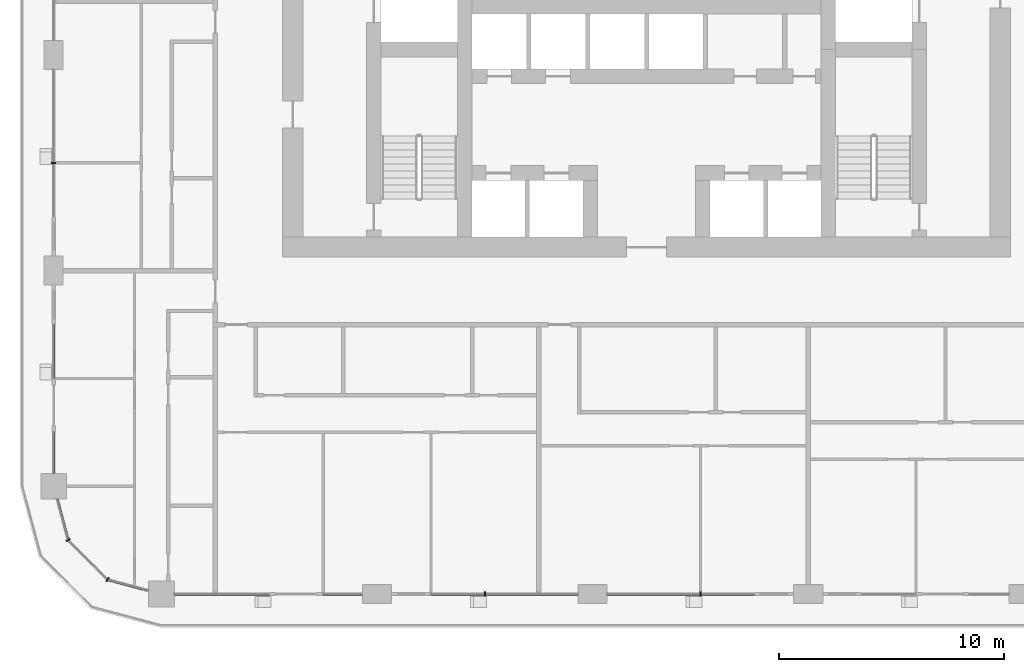
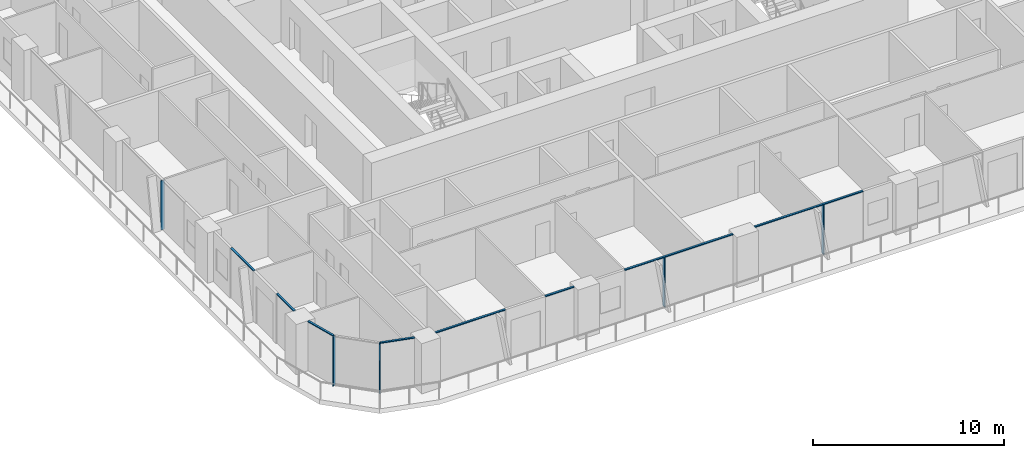
# One storey, part 2 of 22: 13 members, 6 elements without a shape of their own.
"""IFC4 building model written with IfcOpenShell, lengths in metres."""

import ifcopenshell
import ifcopenshell.guid

model = None  # the IFC model being written
_history = None  # IfcOwnerHistory: only IFC2X3 demands one
_inside = {}  # id of a spatial element -> (the spatial element, [elements in it])
_under = {}  # id of a project, library or spatial element -> (it, [spatial elements below it])
_declared = {}  # id of a project -> (the project, [libraries it declares])
_typed = {}  # id of a type object -> (the type object, [elements of that type])
_made_of = {}  # id of a material, layer set ... -> (it, [elements and type objects made of it])


def new_model(schema):
    """Start an empty IFC model of exactly this schema.

    Asked for "IFC4X3", IfcOpenShell would pick the latest addendum, in which some entities
    have other attributes; the version numbers below select the first issue.
    IFC2X3 requires an IfcOwnerHistory on every rooted entity: one is made here for all.
    """
    global model, _history
    if schema == "IFC4X3":
        model = ifcopenshell.file(schema_version=(4, 3, 0, 0))
    else:
        model = ifcopenshell.file(schema=schema)
    _inside.clear()
    _under.clear()
    _declared.clear()
    _typed.clear()
    _made_of.clear()
    _history = None
    if model.schema == "IFC2X3":
        org = make("IfcOrganization", Name="unknown")
        user = make(
            "IfcPersonAndOrganization",
            ThePerson=make("IfcPerson", FamilyName="unknown"),
            TheOrganization=org,
        )
        app = make(
            "IfcApplication",
            ApplicationDeveloper=org,
            Version="unknown",
            ApplicationFullName="unknown",
            ApplicationIdentifier="unknown",
        )
        _history = make(
            "IfcOwnerHistory",
            OwningUser=user,
            OwningApplication=app,
            ChangeAction="ADDED",
            CreationDate=0,
        )
    return model


def make(cls, **values):
    """One entity of the class cls with the attributes given. An attribute that is None is left unset."""
    return model.create_entity(
        cls, **{name: value for name, value in values.items() if value is not None}
    )


def rooted(cls, **values):
    """An entity with a GlobalId (a new one), such as an element, a storey or a relation."""
    return make(cls, GlobalId=ifcopenshell.guid.new(), OwnerHistory=_history, **values)


def si_unit(unit_type, name, prefix=None):
    """IfcSIUnit, for example si_unit("LENGTHUNIT", "METRE", prefix="MILLI")."""
    return make("IfcSIUnit", UnitType=unit_type, Prefix=prefix, Name=name)


def assignment(units):
    """IfcUnitAssignment: the units of a project."""
    return None if units is None else make("IfcUnitAssignment", Units=units)


def point(xyz):
    """IfcCartesianPoint."""
    return None if xyz is None else make("IfcCartesianPoint", Coordinates=xyz)


def direction(xyz):
    """IfcDirection."""
    return None if xyz is None else make("IfcDirection", DirectionRatios=xyz)


def frame(location, z_axis=None, x_axis=None):
    """IfcAxis2Placement3D, a coordinate frame: its origin and axes. An axis left out is left unset."""
    return make(
        "IfcAxis2Placement3D",
        Location=point(location),
        Axis=direction(z_axis),
        RefDirection=direction(x_axis),
    )


def frame_2d(location, x_axis=None):
    """IfcAxis2Placement2D, a coordinate frame in the plane: its origin and x axis."""
    return make(
        "IfcAxis2Placement2D", Location=point(location), RefDirection=direction(x_axis)
    )


def origin():
    """The frame at (0, 0, 0) with its axes left unset."""
    return frame((0.0, 0.0, 0.0))


def origin_2d():
    """The frame at (0, 0) in the plane with its x axis left unset."""
    return frame_2d((0.0, 0.0))


def place(relative_to, where):
    """IfcLocalPlacement: puts the frame where relative to a parent placement (None: the world)."""
    return make(
        "IfcLocalPlacement", PlacementRelTo=relative_to, RelativePlacement=where
    )


def context(
    kind, dimensions, precision=None, world=None, true_north=None, identifier=None
):
    """IfcGeometricRepresentationContext, for example the 3D "Model" context."""
    return make(
        "IfcGeometricRepresentationContext",
        ContextIdentifier=identifier,
        ContextType=kind,
        CoordinateSpaceDimension=dimensions,
        Precision=precision,
        WorldCoordinateSystem=world,
        TrueNorth=true_north,
    )


def subcontext(parent, identifier, kind, view, scale=None):
    """IfcGeometricRepresentationSubContext, for example "Body" below "Model"."""
    return make(
        "IfcGeometricRepresentationSubContext",
        ContextIdentifier=identifier,
        ContextType=kind,
        ParentContext=parent,
        TargetScale=scale,
        TargetView=view,
    )


def project(units=None, contexts=None):
    """IfcProject with its units and contexts."""
    return rooted(
        "IfcProject",
        Name="project",
        RepresentationContexts=contexts,
        UnitsInContext=assignment(units),
    )


def spatial(cls, under=None, at=None, **own):
    """A site, building, storey or space (cls), placed at a placement, below another one or the project."""
    s = rooted(cls, ObjectPlacement=at, **own)
    if under is not None:
        _under.setdefault(under.id(), (under, []))[1].append(s)
    return s


def profile(cls, at=None, kind="AREA", **sizes):
    """A parametric profile (cls). Its sizes go by their IFC names, for example OverallWidth=200.0."""
    return make(cls, ProfileType=kind, Position=at, **sizes)


def rectangle(**sizes):
    """IfcRectangleProfileDef."""
    return profile("IfcRectangleProfileDef", **sizes)


def extrude(swept, where, along, depth):
    """IfcExtrudedAreaSolid: the profile swept, set in the frame where, extruded along a direction by depth."""
    return make(
        "IfcExtrudedAreaSolid",
        SweptArea=swept,
        Position=where,
        ExtrudedDirection=direction(along),
        Depth=depth,
    )


def shape(context_of_items, identifier, shape_type, items):
    """IfcShapeRepresentation: the items that make up one representation, for example the "Body"."""
    return make(
        "IfcShapeRepresentation",
        ContextOfItems=context_of_items,
        RepresentationIdentifier=identifier,
        RepresentationType=shape_type,
        Items=items,
    )


def material(Name=None, Category=None):
    """IfcMaterial."""
    return make("IfcMaterial", Name=Name, Category=Category)


def layer(
    of_material, thickness, ventilated=None, Name=None, Category=None, Priority=None
):
    """IfcMaterialLayer: one layer of a wall or slab, of a material (None: an air gap)."""
    return make(
        "IfcMaterialLayer",
        Material=of_material,
        LayerThickness=thickness,
        IsVentilated=ventilated,
        Name=Name,
        Category=Category,
        Priority=Priority,
    )


def layer_set(layers, Name=None):
    """IfcMaterialLayerSet."""
    return make("IfcMaterialLayerSet", MaterialLayers=layers, LayerSetName=Name)


def material_profile(
    of_material, cross_section, Name=None, Category=None, Priority=None
):
    """IfcMaterialProfile: a cross section and its material."""
    return make(
        "IfcMaterialProfile",
        Name=Name,
        Material=of_material,
        Profile=cross_section,
        Priority=Priority,
        Category=Category,
    )


def profile_set(profiles, Name=None, composite=None):
    """IfcMaterialProfileSet."""
    return make(
        "IfcMaterialProfileSet",
        Name=Name,
        MaterialProfiles=profiles,
        CompositeProfile=composite,
    )


def made_of(thing, what):
    """Note that an element or type object is made of a material, layer set ...; save() writes the relation."""
    if what is not None:
        _made_of.setdefault(what.id(), (what, []))[1].append(thing)
    return thing


def type_object(cls, material=None, **own):
    """A type object (cls), such as IfcWallType, which elements share."""
    return made_of(rooted(cls, **own), material)


def element(
    cls,
    number,
    at=None,
    inside=None,
    cuts=None,
    type_object=None,
    material=None,
    context=None,
    identifier="Body",
    shape_type=None,
    held_by="IfcProductDefinitionShape",
    body=None,
    shapes=None,
    **own,
):
    """One element of the class cls, such as IfcWall. Its Tag is "e" and its number.

    at: its placement. inside: the storey or other place that contains it. cuts: it is an
    opening in that element (IfcRelVoidsElement). A single representation is given by context,
    identifier, shape_type and body (its items); several are given by shapes. held_by: the class
    of the entity that holds the representations. save() writes the other relations.
    """
    e = rooted(cls, Tag="e%d" % number, ObjectPlacement=at, **own)
    if body is not None:
        shapes = [shape(context, identifier, shape_type, body)]
    if shapes is not None:
        e.Representation = make(held_by, Representations=shapes)
    if inside is not None:
        _inside.setdefault(inside.id(), (inside, []))[1].append(e)
    if cuts is not None:
        rooted(
            "IfcRelVoidsElement", RelatingBuildingElement=cuts, RelatedOpeningElement=e
        )
    if type_object is not None:
        _typed.setdefault(type_object.id(), (type_object, []))[1].append(e)
    return made_of(e, material)


def aggregate(whole, parts):
    """IfcRelAggregates: a whole, such as a stair, and the parts it consists of."""
    return rooted("IfcRelAggregates", RelatingObject=whole, RelatedObjects=parts)


def save(model, path):
    """Write the relations noted so far, then the file.

    IfcRelAggregates (storeys below a building ...), IfcRelContainedInSpatialStructure (elements
    in a storey), IfcRelDefinesByType, IfcRelAssociatesMaterial and IfcRelDeclares: one each for
    every whole, place, type object, material and project.
    """
    for whole, parts in _under.values():
        aggregate(whole, parts)
    for where, things in _inside.values():
        rooted(
            "IfcRelContainedInSpatialStructure",
            RelatedElements=things,
            RelatingStructure=where,
        )
    for kind, things in _typed.values():
        rooted("IfcRelDefinesByType", RelatedObjects=things, RelatingType=kind)
    for what, things in _made_of.values():
        rooted("IfcRelAssociatesMaterial", RelatedObjects=things, RelatingMaterial=what)
    for by, libraries in _declared.values():
        rooted("IfcRelDeclares", RelatingContext=by, RelatedDefinitions=libraries)
    model.write(path)


model = new_model("IFC4")

# Units and contexts
model_context = context("Model", 3, precision=1e-05, world=origin(), true_north=direction((0.0, 1.0)))
body_context = subcontext(model_context, "Body", "Model", "MODEL_VIEW")
ifc_project = project(units=[si_unit("LENGTHUNIT", "METRE"), si_unit("AREAUNIT", "SQUARE_METRE"), si_unit("VOLUMEUNIT", "CUBIC_METRE"), si_unit("PLANEANGLEUNIT", "RADIAN"), si_unit("MASSUNIT", "GRAM", prefix="KILO")], contexts=[model_context])

# Site, building, storey
site_placement = place(None, origin())
site = spatial("IfcSite", under=ifc_project, at=site_placement, CompositionType="ELEMENT")
building_placement = place(site_placement, origin())
building = spatial("IfcBuilding", under=site, at=building_placement, Name="Madar Terraces", CompositionType="ELEMENT")
storey_placement = place(building_placement, frame((0.0, 0.0, 69.800048828125)))
storey = spatial("IfcBuildingStorey", under=building, at=storey_placement, Name="L17", CompositionType="ELEMENT", Elevation=69.800048828125)

# Curtain wall, member
ifc_material_1 = material(Name="Glass, ceramic frit dark grey, with black aluminium frame", Category="aluminium")
ifc_layer = layer(ifc_material_1, 0.199951171875)
ifc_layer_set = layer_set([ifc_layer], Name="Facade curtain wall, fritted glass")
curtain_wall_type = type_object("IfcCurtainWallType", Name="Facade curtain wall, fritted glass", PredefinedType="NOTDEFINED", material=ifc_layer_set)
curtain_wall_1_placement = place(storey_placement, origin())
curtain_wall_1 = element("IfcCurtainWall", 1, at=curtain_wall_1_placement, inside=storey, type_object=curtain_wall_type, Name="Outer skin curtain wall south bay 2", PredefinedType="NOTDEFINED")
ifc_material_2 = material(Name="Aluminium, black anodised", Category="aluminium")
ifc_material_profile_1 = material_profile(ifc_material_2, rectangle(XDim=0.199951171875, YDim=0.06005859375, at=origin_2d()), Name="Facade mullion 60x200")
ifc_profile_set_1 = profile_set([ifc_material_profile_1], Name="Aluminium, black anodised")
member_type_1 = type_object("IfcMemberType", Name="Facade mullion 60x200", PredefinedType="MULLION", material=ifc_profile_set_1)
member_1_placement = place(storey_placement, frame((24.0, 0.0, 0.0), z_axis=(0.0, 0.0, 1.0), x_axis=(0.0, 1.0, 0.0)))
member_1 = element("IfcMember", 2, at=member_1_placement, type_object=member_type_1, Name="Mullion 1", PredefinedType="MULLION", context=body_context, shape_type="SweptSolid", body=[
    extrude(rectangle(XDim=0.199951171875, YDim=0.06005859375, at=origin_2d()), origin(), (0.0, 0.0, 1.0), 3.139892578125),
])

curtain_wall_2_placement = place(storey_placement, origin())
curtain_wall_2 = element("IfcCurtainWall", 3, at=curtain_wall_2_placement, inside=storey, type_object=curtain_wall_type, Name="Outer skin curtain wall south bay 3", PredefinedType="NOTDEFINED")
member_2_placement = place(storey_placement, frame((33.60009765625, 0.0, 0.0), z_axis=(0.0, 0.0, 1.0), x_axis=(0.0, 1.0, 0.0)))
member_2 = element("IfcMember", 4, at=member_2_placement, type_object=member_type_1, Name="Mullion 1", PredefinedType="MULLION", context=body_context, shape_type="SweptSolid", body=[
    extrude(rectangle(XDim=0.199951171875, YDim=0.06005859375, at=origin_2d()), origin(), (0.0, 0.0, 1.0), 3.139892578125),
])

curtain_wall_3_placement = place(storey_placement, origin())
curtain_wall_3 = element("IfcCurtainWall", 5, at=curtain_wall_3_placement, inside=storey, type_object=curtain_wall_type, Name="Outer skin curtain wall west bay 3", PredefinedType="NOTDEFINED")
member_3_placement = place(storey_placement, frame((4.800048828125, 19.199951171875, 0.0), z_axis=(0.0, 0.0, 1.0), x_axis=(1.0, 0.0, 0.0)))
member_3 = element("IfcMember", 6, at=member_3_placement, type_object=member_type_1, Name="Mullion 1", PredefinedType="MULLION", context=body_context, shape_type="SweptSolid", body=[
    extrude(rectangle(XDim=0.199951171875, YDim=0.06005859375, at=origin_2d()), origin(), (0.0, 0.0, 1.0), 3.139892578125),
])
aggregate(curtain_wall_3, [member_3])

# Curtain wall, members
curtain_wall_4_placement = place(storey_placement, origin())
curtain_wall_4 = element("IfcCurtainWall", 7, at=curtain_wall_4_placement, inside=storey, type_object=curtain_wall_type, Name="Outer skin curtain wall south-west corner", PredefinedType="NOTDEFINED")
member_4_placement = place(storey_placement, frame((5.443115234375, 2.39990234375, 0.0), z_axis=(0.0, 0.0, 1.0), x_axis=(0.866025409797, 0.499999989586, 0.0)))
member_4 = element("IfcMember", 8, at=member_4_placement, type_object=member_type_1, Name="Mullion 1", PredefinedType="MULLION", context=body_context, shape_type="SweptSolid", body=[
    extrude(rectangle(XDim=0.199951171875, YDim=0.06005859375, at=origin_2d()), origin(), (0.0, 0.0, 1.0), 3.139892578125),
])
member_5_placement = place(storey_placement, frame((7.199951171875, 0.64306640625, 0.0), z_axis=(0.0, 0.0, 1.0), x_axis=(0.499999989586, 0.866025409797, 0.0)))
member_5 = element("IfcMember", 9, at=member_5_placement, type_object=member_type_1, Name="Mullion 2", PredefinedType="MULLION", context=body_context, shape_type="SweptSolid", body=[
    extrude(rectangle(XDim=0.199951171875, YDim=0.06005859375, at=origin_2d()), origin(), (0.0, 0.0, 1.0), 3.139892578125),
])

curtain_wall_5_placement = place(storey_placement, origin())
curtain_wall_5 = element("IfcCurtainWall", 10, at=curtain_wall_5_placement, inside=storey, type_object=curtain_wall_type, Name="Outer skin curtain wall south bay 1", PredefinedType="NOTDEFINED")
ifc_material_3 = material(Name="Aluminium, black anodised", Category="aluminium")
ifc_material_profile_2 = material_profile(ifc_material_3, rectangle(XDim=0.1201171875, YDim=0.06005859375, at=origin_2d()), Name="Facade transom 60x120")
ifc_profile_set_2 = profile_set([ifc_material_profile_2], Name="Aluminium, black anodised")
member_type_2 = type_object("IfcMemberType", Name="Facade transom 60x120", PredefinedType="USERDEFINED", material=ifc_profile_set_2)
member_6_placement = place(storey_placement, frame((10.175048828125, 0.0, 3.169921875), z_axis=(1.0, 0.0, 0.0), x_axis=(0.0, 1.0, 0.0)))
member_6 = element("IfcMember", 11, at=member_6_placement, type_object=member_type_2, Name="Transom 1", ObjectType="TRANSOM", PredefinedType="USERDEFINED", context=body_context, shape_type="SweptSolid", body=[
    extrude(rectangle(XDim=0.1201171875, YDim=0.06005859375, at=origin_2d()), origin(), (0.0, 0.0, 1.0), 4.224853515625),
])
member_7_placement = place(storey_placement, frame((16.800048828125, 0.0, 3.169921875), z_axis=(1.0, 0.0, 0.0), x_axis=(0.0, 1.0, 0.0)))
member_7 = element("IfcMember", 12, at=member_7_placement, type_object=member_type_2, Name="Transom 2", ObjectType="TRANSOM", PredefinedType="USERDEFINED", context=body_context, shape_type="SweptSolid", body=[
    extrude(rectangle(XDim=0.1201171875, YDim=0.06005859375, at=origin_2d()), origin(), (0.0, 0.0, 1.0), 1.75),
])
aggregate(curtain_wall_5, [member_6, member_7])

# Member
member_8_placement = place(storey_placement, frame((21.60009765625, 0.0, 3.169921875), z_axis=(1.0, 0.0, 0.0), x_axis=(0.0, 1.0, 0.0)))
member_8 = element("IfcMember", 13, at=member_8_placement, type_object=member_type_2, Name="Transom 1", ObjectType="TRANSOM", PredefinedType="USERDEFINED", context=body_context, shape_type="SweptSolid", body=[
    extrude(rectangle(XDim=0.1201171875, YDim=0.06005859375, at=origin_2d()), origin(), (0.0, 0.0, 1.0), 6.5498046875),
])

aggregate(curtain_wall_1, [member_1, member_8])

member_9_placement = place(storey_placement, frame((29.449951171875, 0.0, 3.169921875), z_axis=(1.0, 0.0, 0.0), x_axis=(0.0, 1.0, 0.0)))
member_9 = element("IfcMember", 14, at=member_9_placement, type_object=member_type_2, Name="Transom 1", ObjectType="TRANSOM", PredefinedType="USERDEFINED", context=body_context, shape_type="SweptSolid", body=[
    extrude(rectangle(XDim=0.1201171875, YDim=0.06005859375, at=origin_2d()), origin(), (0.0, 0.0, 1.0), 6.550048828125),
])

aggregate(curtain_wall_2, [member_2, member_9])

# Curtain wall, members
curtain_wall_6_placement = place(storey_placement, origin())
curtain_wall_6 = element("IfcCurtainWall", 15, at=curtain_wall_6_placement, inside=storey, type_object=curtain_wall_type, Name="Outer skin curtain wall west bay 4", PredefinedType="NOTDEFINED")
member_10_placement = place(storey_placement, frame((4.800048828125, 12.0, 3.169921875), z_axis=(0.0, -1.0, 0.0), x_axis=(1.0, 0.0, 0.0)))
member_10 = element("IfcMember", 16, at=member_10_placement, type_object=member_type_2, Name="Transom 1", ObjectType="TRANSOM", PredefinedType="USERDEFINED", context=body_context, shape_type="SweptSolid", body=[
    extrude(rectangle(XDim=0.1201171875, YDim=0.06005859375, at=origin_2d()), origin(), (0.0, 0.0, 1.0), 2.39990234375),
])
member_11_placement = place(storey_placement, frame((4.800048828125, 7.199951171875, 3.169921875), z_axis=(0.0, -1.0, 0.0), x_axis=(1.0, 0.0, 0.0)))
member_11 = element("IfcMember", 17, at=member_11_placement, type_object=member_type_2, Name="Transom 2", ObjectType="TRANSOM", PredefinedType="USERDEFINED", context=body_context, shape_type="SweptSolid", body=[
    extrude(rectangle(XDim=0.1201171875, YDim=0.06005859375, at=origin_2d()), origin(), (0.0, 0.0, 1.0), 1.824951171875),
])
aggregate(curtain_wall_6, [member_10, member_11])

# Member
member_12_placement = place(storey_placement, frame((4.9541015625, 4.22509765625, 3.169921875), z_axis=(0.258782024434, -0.965935745187, 0.0), x_axis=(0.965935745187, 0.258782024434, 0.0)))
member_12 = element("IfcMember", 18, at=member_12_placement, type_object=member_type_2, Name="Transom 1", ObjectType="TRANSOM", PredefinedType="USERDEFINED", context=body_context, shape_type="SweptSolid", body=[
    extrude(rectangle(XDim=0.1201171875, YDim=0.06005859375, at=origin_2d()), origin(), (0.0, 0.0, 1.0), 1.859375),
])

member_13_placement = place(storey_placement, frame((7.22900390625, 0.63525390625, 3.169921875), z_axis=(0.965926950947, -0.258814847786, 0.0), x_axis=(0.258814847786, 0.965926950947, 0.0)))
member_13 = element("IfcMember", 19, at=member_13_placement, type_object=member_type_2, Name="Transom 3", ObjectType="TRANSOM", PredefinedType="USERDEFINED", context=body_context, shape_type="SweptSolid", body=[
    extrude(rectangle(XDim=0.1201171875, YDim=0.06005859375, at=origin_2d()), origin(), (0.0, 0.0, 1.0), 1.859130859375),
])

aggregate(curtain_wall_4, [member_4, member_12, member_5, member_13])

save(model, "model.ifc")
